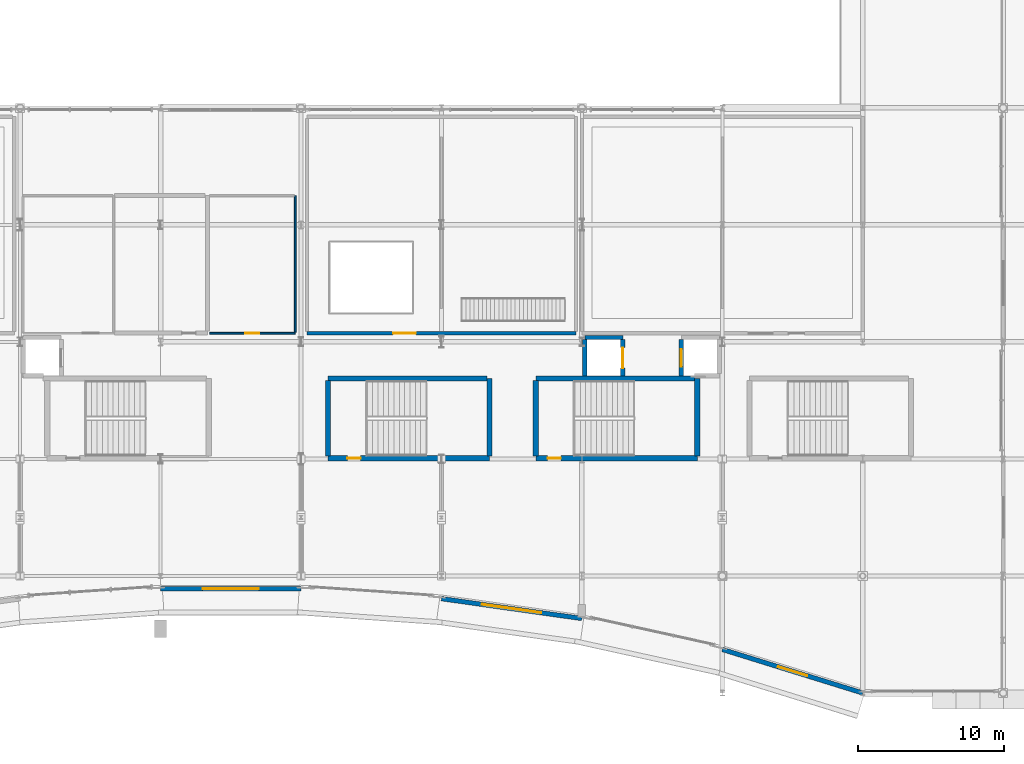
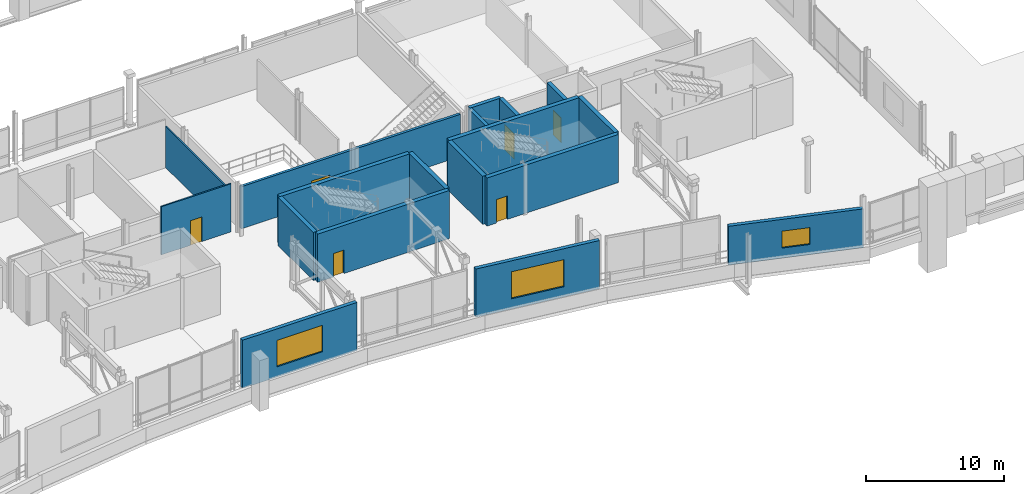
# One storey, part 151 of 193: 18 walls, 6 doors, 3 windows, 9 openings.
"""IFC4 building model written with IfcOpenShell, lengths in metres."""

from ifc_helpers import new_model, si_unit, direction, frame, frame_2d, origin, place, context, subcontext, project, spatial, rectangle, extrude, material, layer, layer_set, type_object, element, fill, save


model = new_model("IFC4")

# Units and contexts
model_context = context("Model", 3, precision=1e-05, world=origin(), true_north=direction((0.0, 1.0)))
body_context = subcontext(model_context, "Body", "Model", "MODEL_VIEW")
ifc_project = project(units=[si_unit("LENGTHUNIT", "METRE"), si_unit("AREAUNIT", "SQUARE_METRE"), si_unit("VOLUMEUNIT", "CUBIC_METRE"), si_unit("PLANEANGLEUNIT", "RADIAN"), si_unit("MASSUNIT", "GRAM", prefix="KILO")], contexts=[model_context])

# Site, building, storey
site_placement = place(None, origin())
site = spatial("IfcSite", under=ifc_project, at=site_placement, CompositionType="ELEMENT")
building_placement = place(site_placement, origin())
building = spatial("IfcBuilding", under=site, at=building_placement, Name="Danafjord Basin Convention Centre", CompositionType="ELEMENT")
storey_placement = place(building_placement, frame((0.0, 0.0, 11.39990234375)))
storey = spatial("IfcBuildingStorey", under=building, at=storey_placement, Name="L02", CompositionType="ELEMENT", Elevation=11.39990234375)

# Wall
ifc_material_1 = material(Name="Concrete C40/50", Category="concrete")
ifc_layer_1 = layer(ifc_material_1, 0.300048828125)
ifc_layer_set_1 = layer_set([ifc_layer_1], Name="Concrete C40/50")
wall_type_1 = type_object("IfcWallType", Name="WALL-CW-CORE300", PredefinedType="SHEAR", material=ifc_layer_set_1)
wall_1_placement = place(storey_placement, frame((89.199951171875, 24.300048828125, 0.0), z_axis=(0.0, 0.0, 1.0), x_axis=(-1.0, 0.0, 0.0)))
element("IfcWall", 1, at=wall_1_placement, inside=storey, type_object=wall_type_1, Name="Lift LF-FF02 shaft shear wall", PredefinedType="SHEAR", context=body_context, shape_type="SweptSolid", body=[
    extrude(rectangle(XDim=2.599853515625, YDim=0.300048828125, at=frame_2d((1.2998046875, 0.0))), origin(), (0.0, 0.0, 1.0), 4.27001953125),
])

# Wall, opening, door
wall_2_placement = place(storey_placement, frame((89.199951171875, 21.6650390625, 0.0), z_axis=(0.0, 0.0, 1.0), x_axis=(0.0, 1.0, 0.0)))
wall_2 = element("IfcWall", 2, at=wall_2_placement, inside=storey, type_object=wall_type_1, Name="Lift LF-FF02 shaft shear wall", PredefinedType="SHEAR", context=body_context, shape_type="SweptSolid", body=[
    extrude(rectangle(XDim=2.5, YDim=0.300048828125, at=frame_2d((1.25, 0.0))), origin(), (0.0, 0.0, 1.0), 4.27001953125),
])
opening_1_placement = place(wall_2_placement, frame((0.550048828125, 0.0, 0.0)))
opening_1 = element("IfcOpeningElement", 3, at=opening_1_placement, cuts=wall_2, Name="Opening LD-F01", PredefinedType="OPENING", context=body_context, shape_type="SweptSolid", body=[
    extrude(rectangle(XDim=1.39990234375, YDim=2.260009765625, at=frame_2d((0.699951171875, 1.1298828125))), frame((0.0, 0.159912109375, 0.0), z_axis=(0.0, -1.0, 0.0), x_axis=(1.0, 0.0, 0.0)), (0.0, 0.0, 1.0), 0.320068359375),
])
ifc_material_2 = material(Name="Brushed stainless steel and acoustic laminated glass", Category="steel")
door_type_1 = type_object("IfcDoorType", Name="DOOR-LD-F01", OperationType="DOUBLE_DOOR_SLIDING", PredefinedType="DOOR", material=ifc_material_2)
door_1_placement = place(opening_1_placement, origin())
door_1 = element("IfcDoor", 4, at=door_1_placement, inside=storey, type_object=door_type_1, Name="Lift LF-FF02 L02 Landing Door", OperationType="DOUBLE_DOOR_SLIDING", OverallHeight=2.260009765625, OverallWidth=1.39990234375, PredefinedType="DOOR", context=body_context, shape_type="SweptSolid", body=[
    extrude(rectangle(XDim=1.39990234375, YDim=2.260009765625, at=frame_2d((0.699951171875, 1.1298828125))), frame((0.0, 0.02490234375, 0.0), z_axis=(0.0, -1.0, 0.0), x_axis=(1.0, 0.0, 0.0)), (0.0, 0.0, 1.0), 0.050048828125),
])
fill(opening_1, door_1)

# Wall
wall_3_placement = place(storey_placement, frame((86.60009765625, 24.1650390625, 0.0), z_axis=(0.0, 0.0, 1.0), x_axis=(0.0, -1.0, 0.0)))
element("IfcWall", 5, at=wall_3_placement, inside=storey, type_object=wall_type_1, Name="Lift LF-FF02 shaft shear wall", PredefinedType="SHEAR", context=body_context, shape_type="SweptSolid", body=[
    extrude(rectangle(XDim=2.5, YDim=0.300048828125, at=frame_2d((1.25, 0.0))), origin(), (0.0, 0.0, 1.0), 4.27001953125),
])

# Wall, opening, door
wall_4_placement = place(storey_placement, frame((93.199951171875, 24.1650390625, 0.0), z_axis=(0.0, 0.0, 1.0), x_axis=(0.0, -1.0, 0.0)))
wall_4 = element("IfcWall", 6, at=wall_4_placement, inside=storey, type_object=wall_type_1, Name="Lift LF-P02 shaft shear wall", PredefinedType="SHEAR", context=body_context, shape_type="SweptSolid", body=[
    extrude(rectangle(XDim=2.5, YDim=0.300048828125, at=frame_2d((1.25, 0.0))), origin(), (0.0, 0.0, 1.0), 4.27001953125),
])
opening_2_placement = place(wall_4_placement, frame((0.64990234375, 0.0, 0.0)))
opening_2 = element("IfcOpeningElement", 7, at=opening_2_placement, cuts=wall_4, Name="Opening LD-P01", PredefinedType="OPENING", context=body_context, shape_type="SweptSolid", body=[
    extrude(rectangle(XDim=1.199951171875, YDim=2.199951171875, at=frame_2d((0.60009765625, 1.10009765625))), frame((0.0, 0.159912109375, 0.0), z_axis=(0.0, -1.0, 0.0), x_axis=(1.0, 0.0, 0.0)), (0.0, 0.0, 1.0), 0.320068359375),
])
door_type_2 = type_object("IfcDoorType", Name="DOOR-LD-P01", OperationType="DOUBLE_DOOR_SLIDING", PredefinedType="DOOR", material=ifc_material_2)
door_2_placement = place(opening_2_placement, origin())
door_2 = element("IfcDoor", 8, at=door_2_placement, inside=storey, type_object=door_type_2, Name="Lift LF-P02 L02 Landing Door", OperationType="DOUBLE_DOOR_SLIDING", OverallHeight=2.199951171875, OverallWidth=1.199951171875, PredefinedType="DOOR", context=body_context, shape_type="SweptSolid", body=[
    extrude(rectangle(XDim=1.199951171875, YDim=2.199951171875, at=frame_2d((0.60009765625, 1.10009765625))), frame((0.0, 0.02490234375, 0.0), z_axis=(0.0, -1.0, 0.0), x_axis=(1.0, 0.0, 0.0)), (0.0, 0.0, 1.0), 0.050048828125),
])
fill(opening_2, door_2)

ifc_material_3 = material(Name="Concrete C45/55", Category="concrete")
ifc_layer_2 = layer(ifc_material_3, 0.35009765625)
ifc_layer_set_2 = layer_set([ifc_layer_2], Name="Concrete C45/55")
wall_type_2 = type_object("IfcWallType", Name="WALL-CW-CORE350", PredefinedType="SHEAR", material=ifc_layer_set_2)
wall_5_placement = place(storey_placement, frame((83.25, 16.050048828125, 0.0), z_axis=(0.0, 0.0, 1.0), x_axis=(1.0, 0.0, 0.0)))
wall_5 = element("IfcWall", 9, at=wall_5_placement, inside=storey, type_object=wall_type_2, Name="Central Harbour Core Stair 1 core shear wall (south)", PredefinedType="SHEAR", context=body_context, shape_type="SweptSolid", body=[
    extrude(rectangle(XDim=11.0400390625, YDim=0.35009765625, at=frame_2d((5.52001953125, 0.0))), origin(), (0.0, 0.0, 1.0), 4.27001953125),
])
opening_3_placement = place(wall_5_placement, frame((0.805908203125, 0.0, 0.0)))
opening_3 = element("IfcOpeningElement", 10, at=opening_3_placement, cuts=wall_5, Name="Opening FD-S01", PredefinedType="OPENING", context=body_context, shape_type="SweptSolid", body=[
    extrude(rectangle(XDim=0.909912109375, YDim=2.080078125, at=frame_2d((0.455078125, 1.0400390625))), frame((0.0, 0.18505859375, 0.0), z_axis=(0.0, -1.0, 0.0), x_axis=(1.0, 0.0, 0.0)), (0.0, 0.0, 1.0), 0.3701171875),
])
ifc_material_4 = material(Name="Powder-coated steel and Nordic oak", Category="steel")
door_type_3 = type_object("IfcDoorType", Name="DOOR-FD-S01", OperationType="NOTDEFINED", PredefinedType="DOOR", material=ifc_material_4)
door_3_placement = place(opening_3_placement, origin())
door_3 = element("IfcDoor", 11, at=door_3_placement, inside=storey, type_object=door_type_3, Name="Central Harbour Core Stair 1 L02 Fire Exit Door", OperationType="SINGLE_SWING_RIGHT", OverallHeight=2.080078125, OverallWidth=0.909912109375, PredefinedType="DOOR", context=body_context, shape_type="SweptSolid", body=[
    extrude(rectangle(XDim=0.909912109375, YDim=2.080078125, at=frame_2d((0.455078125, 1.0400390625))), frame((0.0, 0.02490234375, 0.0), z_axis=(0.0, -1.0, 0.0), x_axis=(1.0, 0.0, 0.0)), (0.0, 0.0, 1.0), 0.050048828125),
])
fill(opening_3, door_3)

# Walls
wall_6_placement = place(storey_placement, frame((94.2900390625, 16.2099609375, 0.0), z_axis=(0.0, 0.0, 1.0), x_axis=(0.0, 1.0, 0.0)))
element("IfcWall", 12, at=wall_6_placement, inside=storey, type_object=wall_type_2, Name="Central Harbour Core Stair 1 core shear wall (east)", PredefinedType="SHEAR", context=body_context, shape_type="SweptSolid", body=[
    extrude(rectangle(XDim=5.300048828125, YDim=0.35009765625, at=frame_2d((2.64990234375, 0.0))), origin(), (0.0, 0.0, 1.0), 4.27001953125),
])
wall_7_placement = place(storey_placement, frame((94.1298828125, 21.510009765625, 0.0), z_axis=(0.0, 0.0, 1.0), x_axis=(-1.0, 0.0, 0.0)))
element("IfcWall", 13, at=wall_7_placement, inside=storey, type_object=wall_type_2, Name="Central Harbour Core Stair 1 core shear wall (north)", PredefinedType="SHEAR", context=body_context, shape_type="SweptSolid", body=[
    extrude(rectangle(XDim=10.8798828125, YDim=0.35009765625, at=frame_2d((5.43994140625, 0.0))), origin(), (0.0, 0.0, 1.0), 4.27001953125),
])
wall_8_placement = place(storey_placement, frame((83.25, 21.35009765625, 0.0), z_axis=(0.0, 0.0, 1.0), x_axis=(0.0, -1.0, 0.0)))
element("IfcWall", 14, at=wall_8_placement, inside=storey, type_object=wall_type_2, Name="Central Harbour Core Stair 1 core shear wall (west)", PredefinedType="SHEAR", context=body_context, shape_type="SweptSolid", body=[
    extrude(rectangle(XDim=5.14013671875, YDim=0.35009765625, at=frame_2d((2.570068359375, 0.0))), origin(), (0.0, 0.0, 1.0), 4.27001953125),
])

# Wall, opening, door
wall_9_placement = place(storey_placement, frame((69.050048828125, 16.050048828125, 0.0), z_axis=(0.0, 0.0, 1.0), x_axis=(1.0, 0.0, 0.0)))
wall_9 = element("IfcWall", 15, at=wall_9_placement, inside=storey, type_object=wall_type_2, Name="Mid-Arc Escape Stair 2 core shear wall (south)", PredefinedType="SHEAR", context=body_context, shape_type="SweptSolid", body=[
    extrude(rectangle(XDim=11.0400390625, YDim=0.35009765625, at=frame_2d((5.52001953125, 0.0))), origin(), (0.0, 0.0, 1.0), 4.27001953125),
])
opening_4_placement = place(wall_9_placement, frame((1.31201171875, 0.0, 0.0)))
opening_4 = element("IfcOpeningElement", 16, at=opening_4_placement, cuts=wall_9, Name="Opening FD-S01", PredefinedType="OPENING", context=body_context, shape_type="SweptSolid", body=[
    extrude(rectangle(XDim=0.909912109375, YDim=2.080078125, at=frame_2d((0.455078125, 1.0400390625))), frame((0.0, 0.18505859375, 0.0), z_axis=(0.0, -1.0, 0.0), x_axis=(1.0, 0.0, 0.0)), (0.0, 0.0, 1.0), 0.3701171875),
])
door_4_placement = place(opening_4_placement, origin())
door_4 = element("IfcDoor", 17, at=door_4_placement, inside=storey, type_object=door_type_3, Name="Mid-Arc Escape Stair 2 L02 Fire Exit Door", OperationType="SINGLE_SWING_LEFT", OverallHeight=2.080078125, OverallWidth=0.909912109375, PredefinedType="DOOR", context=body_context, shape_type="SweptSolid", body=[
    extrude(rectangle(XDim=0.909912109375, YDim=2.080078125, at=frame_2d((0.455078125, 1.0400390625))), frame((0.0, 0.02490234375, 0.0), z_axis=(0.0, -1.0, 0.0), x_axis=(1.0, 0.0, 0.0)), (0.0, 0.0, 1.0), 0.050048828125),
])
fill(opening_4, door_4)

# Walls
wall_10_placement = place(storey_placement, frame((80.090087890625, 16.2099609375, 0.0), z_axis=(0.0, 0.0, 1.0), x_axis=(0.0, 1.0, 0.0)))
element("IfcWall", 18, at=wall_10_placement, inside=storey, type_object=wall_type_2, Name="Mid-Arc Escape Stair 2 core shear wall (east)", PredefinedType="SHEAR", context=body_context, shape_type="SweptSolid", body=[
    extrude(rectangle(XDim=5.300048828125, YDim=0.35009765625, at=frame_2d((2.64990234375, 0.0))), origin(), (0.0, 0.0, 1.0), 4.27001953125),
])
wall_11_placement = place(storey_placement, frame((79.929931640625, 21.510009765625, 0.0), z_axis=(0.0, 0.0, 1.0), x_axis=(-1.0, 0.0, 0.0)))
element("IfcWall", 19, at=wall_11_placement, inside=storey, type_object=wall_type_2, Name="Mid-Arc Escape Stair 2 core shear wall (north)", PredefinedType="SHEAR", context=body_context, shape_type="SweptSolid", body=[
    extrude(rectangle(XDim=10.8798828125, YDim=0.35009765625, at=frame_2d((5.43994140625, 0.0))), origin(), (0.0, 0.0, 1.0), 4.27001953125),
])
wall_12_placement = place(storey_placement, frame((69.050048828125, 21.35009765625, 0.0), z_axis=(0.0, 0.0, 1.0), x_axis=(0.0, -1.0, 0.0)))
element("IfcWall", 20, at=wall_12_placement, inside=storey, type_object=wall_type_2, Name="Mid-Arc Escape Stair 2 core shear wall (west)", PredefinedType="SHEAR", context=body_context, shape_type="SweptSolid", body=[
    extrude(rectangle(XDim=5.14013671875, YDim=0.35009765625, at=frame_2d((2.570068359375, 0.0))), origin(), (0.0, 0.0, 1.0), 4.27001953125),
])

# Wall, opening, window
ifc_material_5 = material(Name="Precast concrete C40/50", Category="concrete")
ifc_layer_3 = layer(ifc_material_5, 0.31005859375)
ifc_layer_set_3 = layer_set([ifc_layer_3], Name="Precast concrete C40/50")
wall_type_3 = type_object("IfcWallType", Name="WALL-EW-PC300", PredefinedType="SOLIDWALL", material=ifc_layer_set_3)
wall_13_placement = place(storey_placement, frame((57.60009765625, 7.116943359375, 0.0), z_axis=(0.0, 0.0, 1.0), x_axis=(1.0, 0.0, 0.0)))
wall_13 = element("IfcWall", 21, at=wall_13_placement, inside=storey, type_object=wall_type_3, Name="L02 harbourfront precast facade bay 7", PredefinedType="SOLIDWALL", context=body_context, shape_type="SweptSolid", body=[
    extrude(rectangle(XDim=9.599853515625, YDim=0.31005859375, at=frame_2d((4.7998046875, 0.0))), origin(), (0.0, 0.0, 1.0), 4.27001953125),
])
opening_5_placement = place(wall_13_placement, frame((2.875, 0.0, 0.89990234375)))
opening_5 = element("IfcOpeningElement", 22, at=opening_5_placement, cuts=wall_13, Name="Opening WN-14", PredefinedType="OPENING", context=body_context, shape_type="SweptSolid", body=[
    extrude(rectangle(XDim=3.85009765625, YDim=2.35009765625, at=frame_2d((1.925048828125, 1.175048828125))), frame((0.0, 0.1650390625, 0.0), z_axis=(0.0, -1.0, 0.0), x_axis=(1.0, 0.0, 0.0)), (0.0, 0.0, 1.0), 0.330078125),
])
ifc_material_6 = material(Name="Thermally broken aluminium and triple low-E glass", Category="aluminium")
window_type_1 = type_object("IfcWindowType", Name="WIN-WN-14", PartitioningType="SINGLE_PANEL", PredefinedType="WINDOW", material=ifc_material_6)
window_1_placement = place(opening_5_placement, origin())
window_1 = element("IfcWindow", 23, at=window_1_placement, inside=storey, type_object=window_type_1, Name="L02 harbour window WN-14", OverallHeight=2.35009765625, OverallWidth=3.85009765625, PartitioningType="SINGLE_PANEL", PredefinedType="WINDOW", context=body_context, shape_type="SweptSolid", body=[
    extrude(rectangle(XDim=3.85009765625, YDim=2.35009765625, at=frame_2d((1.925048828125, 1.175048828125))), frame((0.0, 0.030029296875, 0.0), z_axis=(0.0, -1.0, 0.0), x_axis=(1.0, 0.0, 0.0)), (0.0, 0.0, 1.0), 0.06005859375),
])
fill(opening_5, window_1)

wall_14_placement = place(storey_placement, frame((76.800048828125, 6.451904296875, 0.0), z_axis=(0.0, 0.0, 1.0), x_axis=(0.990129481958, -0.140155659739, 0.0)))
wall_14 = element("IfcWall", 24, at=wall_14_placement, inside=storey, type_object=wall_type_3, Name="L02 harbourfront precast facade bay 9", PredefinedType="SOLIDWALL", context=body_context, shape_type="SweptSolid", body=[
    extrude(rectangle(XDim=9.695556640625, YDim=0.31005859375, at=frame_2d((4.84765625, 0.0))), origin(), (0.0, 0.0, 1.0), 4.27001953125),
])
opening_6_placement = place(wall_14_placement, frame((2.798095703125, 0.0, 0.89990234375)))
opening_6 = element("IfcOpeningElement", 25, at=opening_6_placement, cuts=wall_14, Name="Opening WN-15", PredefinedType="OPENING", context=body_context, shape_type="SweptSolid", body=[
    extrude(rectangle(XDim=4.10009765625, YDim=2.39990234375, at=frame_2d((2.050048828125, 1.199951171875))), frame((0.0, 0.1650390625, 0.0), z_axis=(0.0, -1.0, 0.0), x_axis=(1.0, 0.0, 0.0)), (0.0, 0.0, 1.0), 0.330078125),
])
window_type_2 = type_object("IfcWindowType", Name="WIN-WN-15", PartitioningType="SINGLE_PANEL", PredefinedType="WINDOW", material=ifc_material_6)
window_2_placement = place(opening_6_placement, origin())
window_2 = element("IfcWindow", 26, at=window_2_placement, inside=storey, type_object=window_type_2, Name="L02 harbour window WN-15", OverallHeight=2.39990234375, OverallWidth=4.10009765625, PartitioningType="SINGLE_PANEL", PredefinedType="WINDOW", context=body_context, shape_type="SweptSolid", body=[
    extrude(rectangle(XDim=4.10009765625, YDim=2.39990234375, at=frame_2d((2.050048828125, 1.199951171875))), frame((0.0, 0.030029296875, 0.0), z_axis=(0.0, -1.0, 0.0), x_axis=(1.0, 0.0, 0.0)), (0.0, 0.0, 1.0), 0.06005859375),
])
fill(opening_6, window_2)

wall_15_placement = place(storey_placement, frame((96.0, 2.97998046875, 0.0), z_axis=(0.0, 0.0, 1.0), x_axis=(0.955046116742, -0.296457273306, 0.0)))
wall_15 = element("IfcWall", 27, at=wall_15_placement, inside=storey, type_object=wall_type_3, Name="L02 harbourfront precast facade bay 11", PredefinedType="SOLIDWALL", context=body_context, shape_type="SweptSolid", body=[
    extrude(rectangle(XDim=10.052001953125, YDim=0.31005859375, at=frame_2d((5.02587890625, 0.0))), origin(), (0.0, 0.0, 1.0), 3.444091796875),
])
opening_7_placement = place(wall_15_placement, frame((3.97607421875, 0.0, 0.89990234375)))
opening_7 = element("IfcOpeningElement", 28, at=opening_7_placement, cuts=wall_15, Name="Opening WN-16", PredefinedType="OPENING", context=body_context, shape_type="SweptSolid", body=[
    extrude(rectangle(XDim=2.10009765625, YDim=1.5, at=frame_2d((1.050048828125, 0.75))), frame((0.0, 0.1650390625, 0.0), z_axis=(0.0, -1.0, 0.0), x_axis=(1.0, 0.0, 0.0)), (0.0, 0.0, 1.0), 0.330078125),
])
window_type_3 = type_object("IfcWindowType", Name="WIN-WN-16", PartitioningType="SINGLE_PANEL", PredefinedType="WINDOW", material=ifc_material_6)
window_3_placement = place(opening_7_placement, origin())
window_3 = element("IfcWindow", 29, at=window_3_placement, inside=storey, type_object=window_type_3, Name="L02 harbour window WN-16", OverallHeight=1.5, OverallWidth=2.10009765625, PartitioningType="SINGLE_PANEL", PredefinedType="WINDOW", context=body_context, shape_type="SweptSolid", body=[
    extrude(rectangle(XDim=2.10009765625, YDim=1.5, at=frame_2d((1.050048828125, 0.75))), frame((0.0, 0.030029296875, 0.0), z_axis=(0.0, -1.0, 0.0), x_axis=(1.0, 0.0, 0.0)), (0.0, 0.0, 1.0), 0.06005859375),
])
fill(opening_7, window_3)

# Wall, opening, door
ifc_material_7 = material(Name="Acoustic twin-stud gypsum and mineral wool")
ifc_layer_4 = layer(ifc_material_7, 0.219970703125)
ifc_layer_set_4 = layer_set([ifc_layer_4], Name="Acoustic twin-stud gypsum and mineral wool")
wall_type_4 = type_object("IfcWallType", Name="WALL-PT-AC220", PredefinedType="PARTITIONING", material=ifc_layer_set_4)
wall_16_placement = place(storey_placement, frame((67.60009765625, 24.60009765625, 0.0), z_axis=(0.0, 0.0, 1.0), x_axis=(1.0, 0.0, 0.0)))
wall_16 = element("IfcWall", 30, at=wall_16_placement, inside=storey, type_object=wall_type_4, Name="Subdivisible Conference Hall C203 south partition", PredefinedType="PARTITIONING", context=body_context, shape_type="SweptSolid", body=[
    extrude(rectangle(XDim=18.39990234375, YDim=0.219970703125, at=frame_2d((9.199951171875, 0.0))), origin(), (0.0, 0.0, 1.0), 3.739990234375),
])
opening_8_placement = place(wall_16_placement, frame((5.89404296875, 0.0, 0.0)))
opening_8 = element("IfcOpeningElement", 31, at=opening_8_placement, cuts=wall_16, Name="Opening FD-D01", PredefinedType="OPENING", context=body_context, shape_type="SweptSolid", body=[
    extrude(rectangle(XDim=1.56005859375, YDim=2.179931640625, at=frame_2d((0.780029296875, 1.08984375))), frame((0.0, 0.119873046875, 0.0), z_axis=(0.0, -1.0, 0.0), x_axis=(1.0, 0.0, 0.0)), (0.0, 0.0, 1.0), 0.239990234375),
])
door_type_4 = type_object("IfcDoorType", Name="DOOR-FD-D01", OperationType="DOUBLE_DOOR_SINGLE_SWING", PredefinedType="DOOR", material=ifc_material_2)
door_5_placement = place(opening_8_placement, origin())
door_5 = element("IfcDoor", 32, at=door_5_placement, inside=storey, type_object=door_type_4, Name="Subdivisible Conference Hall C203 Entrance Door", OperationType="DOUBLE_DOOR_SINGLE_SWING", OverallHeight=2.179931640625, OverallWidth=1.56005859375, PredefinedType="DOOR", context=body_context, shape_type="SweptSolid", body=[
    extrude(rectangle(XDim=1.56005859375, YDim=2.179931640625, at=frame_2d((0.780029296875, 1.08984375))), frame((0.0, 0.02490234375, 0.0), z_axis=(0.0, -1.0, 0.0), x_axis=(1.0, 0.0, 0.0)), (0.0, 0.0, 1.0), 0.050048828125),
])
fill(opening_8, door_5)

ifc_material_8 = material(Name="Moisture-resistant gypsum stud partition")
ifc_layer_5 = layer(ifc_material_8, 0.1201171875)
ifc_layer_set_5 = layer_set([ifc_layer_5], Name="Moisture-resistant gypsum stud partition")
wall_type_5 = type_object("IfcWallType", Name="WALL-PT-ST120", PredefinedType="PARTITIONING", material=ifc_layer_set_5)
wall_17_placement = place(storey_placement, frame((60.946533203125, 24.60009765625, 0.0), z_axis=(0.0, 0.0, 1.0), x_axis=(1.0, 0.0, 0.0)))
wall_17 = element("IfcWall", 33, at=wall_17_placement, inside=storey, type_object=wall_type_5, Name="Level 2 Accessible WC south partition", PredefinedType="PARTITIONING", context=body_context, shape_type="SweptSolid", body=[
    extrude(rectangle(XDim=5.853515625, YDim=0.1201171875, at=frame_2d((2.9267578125, 0.0))), origin(), (0.0, 0.0, 1.0), 4.27001953125),
])
opening_9_placement = place(wall_17_placement, frame((2.451904296875, 0.0, 0.0)))
opening_9 = element("IfcOpeningElement", 34, at=opening_9_placement, cuts=wall_17, Name="Opening FD-S10", PredefinedType="OPENING", context=body_context, shape_type="SweptSolid", body=[
    extrude(rectangle(XDim=0.949951171875, YDim=2.179931640625, at=frame_2d((0.47509765625, 1.08984375))), frame((0.0, 0.070068359375, 0.0), z_axis=(0.0, -1.0, 0.0), x_axis=(1.0, 0.0, 0.0)), (0.0, 0.0, 1.0), 0.14013671875),
])
door_type_5 = type_object("IfcDoorType", Name="DOOR-FD-S10", OperationType="NOTDEFINED", PredefinedType="DOOR", material=ifc_material_4)
door_6_placement = place(opening_9_placement, origin())
door_6 = element("IfcDoor", 35, at=door_6_placement, inside=storey, type_object=door_type_5, Name="Level 2 Accessible WC Entrance Door", OperationType="SINGLE_SWING_LEFT", OverallHeight=2.179931640625, OverallWidth=0.949951171875, PredefinedType="DOOR", context=body_context, shape_type="SweptSolid", body=[
    extrude(rectangle(XDim=0.949951171875, YDim=2.179931640625, at=frame_2d((0.47509765625, 1.08984375))), frame((0.0, 0.02490234375, 0.0), z_axis=(0.0, -1.0, 0.0), x_axis=(1.0, 0.0, 0.0)), (0.0, 0.0, 1.0), 0.050048828125),
])
fill(opening_9, door_6)

# Wall
wall_18_placement = place(storey_placement, frame((66.800048828125, 24.6640625, 0.0), z_axis=(0.0, 0.0, 1.0), x_axis=(0.0, 1.0, 0.0)))
element("IfcWall", 36, at=wall_18_placement, inside=storey, type_object=wall_type_5, Name="Level 2 Accessible WC east partition", PredefinedType="PARTITIONING", context=body_context, shape_type="SweptSolid", body=[
    extrude(rectangle(XDim=9.3359375, YDim=0.1201171875, at=frame_2d((4.66796875, 0.0))), origin(), (0.0, 0.0, 1.0), 3.64013671875),
])

save(model, "model.ifc")
